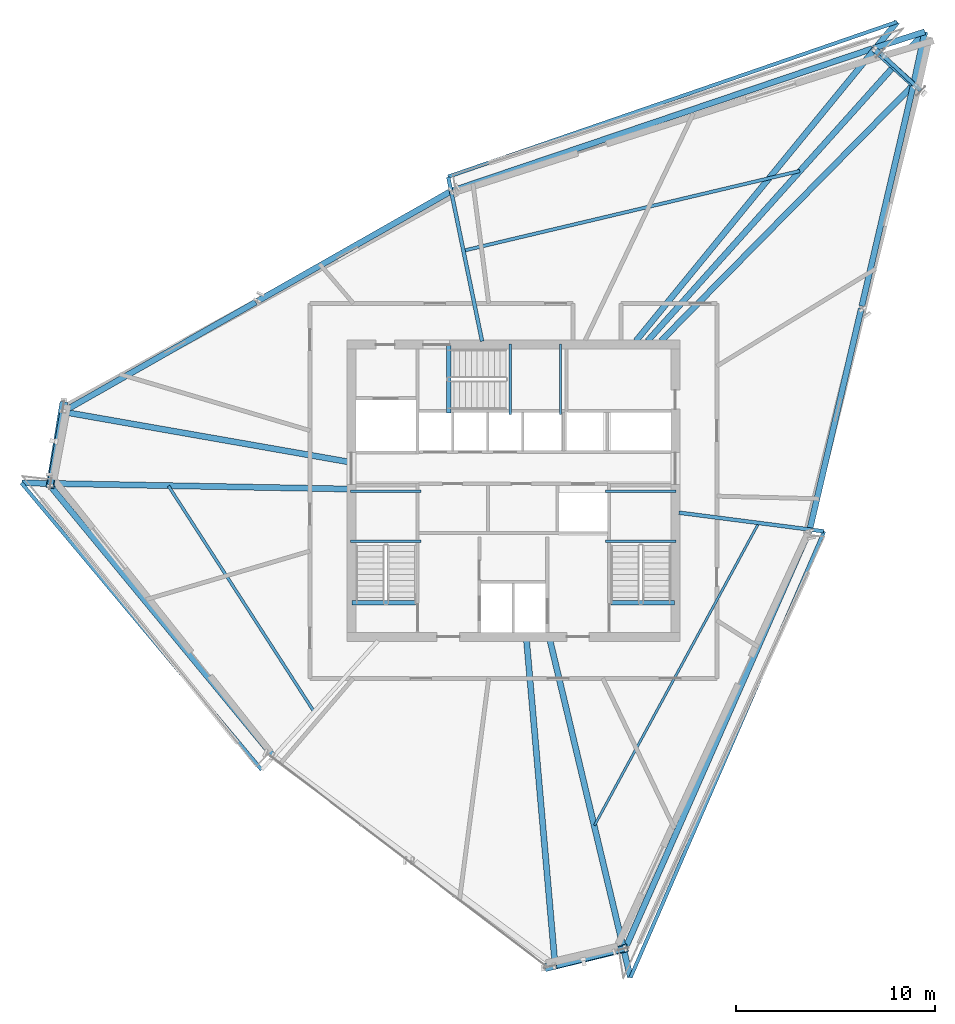
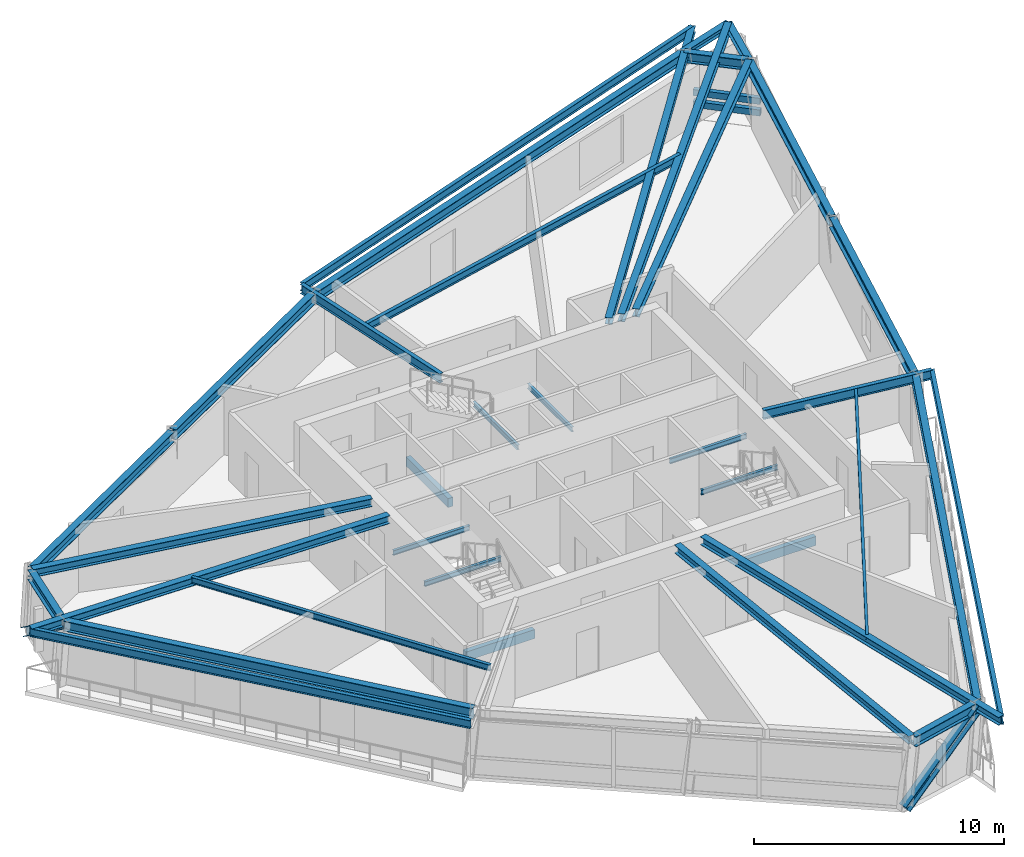
# One storey, part 4 of 13: 36 beams, 4 members.
"""IFC4 building model written with IfcOpenShell, lengths in metres."""

import ifcopenshell
import ifcopenshell.guid

model = None  # the IFC model being written
_history = None  # IfcOwnerHistory: only IFC2X3 demands one
_inside = {}  # id of a spatial element -> (the spatial element, [elements in it])
_under = {}  # id of a project, library or spatial element -> (it, [spatial elements below it])
_declared = {}  # id of a project -> (the project, [libraries it declares])
_typed = {}  # id of a type object -> (the type object, [elements of that type])
_made_of = {}  # id of a material, layer set ... -> (it, [elements and type objects made of it])


def new_model(schema):
    """Start an empty IFC model of exactly this schema.

    Asked for "IFC4X3", IfcOpenShell would pick the latest addendum, in which some entities
    have other attributes; the version numbers below select the first issue.
    IFC2X3 requires an IfcOwnerHistory on every rooted entity: one is made here for all.
    """
    global model, _history
    if schema == "IFC4X3":
        model = ifcopenshell.file(schema_version=(4, 3, 0, 0))
    else:
        model = ifcopenshell.file(schema=schema)
    _inside.clear()
    _under.clear()
    _declared.clear()
    _typed.clear()
    _made_of.clear()
    _history = None
    if model.schema == "IFC2X3":
        org = make("IfcOrganization", Name="unknown")
        user = make(
            "IfcPersonAndOrganization",
            ThePerson=make("IfcPerson", FamilyName="unknown"),
            TheOrganization=org,
        )
        app = make(
            "IfcApplication",
            ApplicationDeveloper=org,
            Version="unknown",
            ApplicationFullName="unknown",
            ApplicationIdentifier="unknown",
        )
        _history = make(
            "IfcOwnerHistory",
            OwningUser=user,
            OwningApplication=app,
            ChangeAction="ADDED",
            CreationDate=0,
        )
    return model


def make(cls, **values):
    """One entity of the class cls with the attributes given. An attribute that is None is left unset."""
    return model.create_entity(
        cls, **{name: value for name, value in values.items() if value is not None}
    )


def rooted(cls, **values):
    """An entity with a GlobalId (a new one), such as an element, a storey or a relation."""
    return make(cls, GlobalId=ifcopenshell.guid.new(), OwnerHistory=_history, **values)


def si_unit(unit_type, name, prefix=None):
    """IfcSIUnit, for example si_unit("LENGTHUNIT", "METRE", prefix="MILLI")."""
    return make("IfcSIUnit", UnitType=unit_type, Prefix=prefix, Name=name)


def assignment(units):
    """IfcUnitAssignment: the units of a project."""
    return None if units is None else make("IfcUnitAssignment", Units=units)


def point(xyz):
    """IfcCartesianPoint."""
    return None if xyz is None else make("IfcCartesianPoint", Coordinates=xyz)


def direction(xyz):
    """IfcDirection."""
    return None if xyz is None else make("IfcDirection", DirectionRatios=xyz)


def frame(location, z_axis=None, x_axis=None):
    """IfcAxis2Placement3D, a coordinate frame: its origin and axes. An axis left out is left unset."""
    return make(
        "IfcAxis2Placement3D",
        Location=point(location),
        Axis=direction(z_axis),
        RefDirection=direction(x_axis),
    )


def frame_2d(location, x_axis=None):
    """IfcAxis2Placement2D, a coordinate frame in the plane: its origin and x axis."""
    return make(
        "IfcAxis2Placement2D", Location=point(location), RefDirection=direction(x_axis)
    )


def origin():
    """The frame at (0, 0, 0) with its axes left unset."""
    return frame((0.0, 0.0, 0.0))


def origin_2d():
    """The frame at (0, 0) in the plane with its x axis left unset."""
    return frame_2d((0.0, 0.0))


def place(relative_to, where):
    """IfcLocalPlacement: puts the frame where relative to a parent placement (None: the world)."""
    return make(
        "IfcLocalPlacement", PlacementRelTo=relative_to, RelativePlacement=where
    )


def context(
    kind, dimensions, precision=None, world=None, true_north=None, identifier=None
):
    """IfcGeometricRepresentationContext, for example the 3D "Model" context."""
    return make(
        "IfcGeometricRepresentationContext",
        ContextIdentifier=identifier,
        ContextType=kind,
        CoordinateSpaceDimension=dimensions,
        Precision=precision,
        WorldCoordinateSystem=world,
        TrueNorth=true_north,
    )


def subcontext(parent, identifier, kind, view, scale=None):
    """IfcGeometricRepresentationSubContext, for example "Body" below "Model"."""
    return make(
        "IfcGeometricRepresentationSubContext",
        ContextIdentifier=identifier,
        ContextType=kind,
        ParentContext=parent,
        TargetScale=scale,
        TargetView=view,
    )


def project(units=None, contexts=None):
    """IfcProject with its units and contexts."""
    return rooted(
        "IfcProject",
        Name="project",
        RepresentationContexts=contexts,
        UnitsInContext=assignment(units),
    )


def spatial(cls, under=None, at=None, **own):
    """A site, building, storey or space (cls), placed at a placement, below another one or the project."""
    s = rooted(cls, ObjectPlacement=at, **own)
    if under is not None:
        _under.setdefault(under.id(), (under, []))[1].append(s)
    return s


def profile(cls, at=None, kind="AREA", **sizes):
    """A parametric profile (cls). Its sizes go by their IFC names, for example OverallWidth=200.0."""
    return make(cls, ProfileType=kind, Position=at, **sizes)


def rectangle(**sizes):
    """IfcRectangleProfileDef."""
    return profile("IfcRectangleProfileDef", **sizes)


def hollow_rectangle(**sizes):
    """IfcRectangleHollowProfileDef."""
    return profile("IfcRectangleHollowProfileDef", **sizes)


def i_section(**sizes):
    """IfcIShapeProfileDef."""
    return profile("IfcIShapeProfileDef", **sizes)


def extrude(swept, where, along, depth):
    """IfcExtrudedAreaSolid: the profile swept, set in the frame where, extruded along a direction by depth."""
    return make(
        "IfcExtrudedAreaSolid",
        SweptArea=swept,
        Position=where,
        ExtrudedDirection=direction(along),
        Depth=depth,
    )


def shape(context_of_items, identifier, shape_type, items):
    """IfcShapeRepresentation: the items that make up one representation, for example the "Body"."""
    return make(
        "IfcShapeRepresentation",
        ContextOfItems=context_of_items,
        RepresentationIdentifier=identifier,
        RepresentationType=shape_type,
        Items=items,
    )


def source(mapping_origin, context_of_items, identifier, shape_type, items):
    """IfcRepresentationMap: a shape defined once, which mapped items show again and again."""
    return make(
        "IfcRepresentationMap",
        MappingOrigin=mapping_origin,
        MappedRepresentation=shape(context_of_items, identifier, shape_type, items),
    )


def transform(
    local_origin,
    x_axis=None,
    y_axis=None,
    z_axis=None,
    scale=None,
    scale2=None,
    scale3=None,
    uniform=True,
):
    """IfcCartesianTransformationOperator3D, or its non-uniform kind. x_axis, y_axis, z_axis: its Axis1, 2, 3."""
    if uniform:
        return make(
            "IfcCartesianTransformationOperator3D",
            Axis1=direction(x_axis),
            Axis2=direction(y_axis),
            LocalOrigin=point(local_origin),
            Scale=scale,
            Axis3=direction(z_axis),
        )
    return make(
        "IfcCartesianTransformationOperator3DnonUniform",
        Axis1=direction(x_axis),
        Axis2=direction(y_axis),
        LocalOrigin=point(local_origin),
        Scale=scale,
        Axis3=direction(z_axis),
        Scale2=scale2,
        Scale3=scale3,
    )


def mapped(mapping_source, mapping_target):
    """IfcMappedItem: shows the shape of a source again, moved by a transform."""
    return make(
        "IfcMappedItem", MappingSource=mapping_source, MappingTarget=mapping_target
    )


def material(Name=None, Category=None):
    """IfcMaterial."""
    return make("IfcMaterial", Name=Name, Category=Category)


def material_profile(
    of_material, cross_section, Name=None, Category=None, Priority=None
):
    """IfcMaterialProfile: a cross section and its material."""
    return make(
        "IfcMaterialProfile",
        Name=Name,
        Material=of_material,
        Profile=cross_section,
        Priority=Priority,
        Category=Category,
    )


def profile_set(profiles, Name=None, composite=None):
    """IfcMaterialProfileSet."""
    return make(
        "IfcMaterialProfileSet",
        Name=Name,
        MaterialProfiles=profiles,
        CompositeProfile=composite,
    )


def made_of(thing, what):
    """Note that an element or type object is made of a material, layer set ...; save() writes the relation."""
    if what is not None:
        _made_of.setdefault(what.id(), (what, []))[1].append(thing)
    return thing


def type_object(cls, material=None, **own):
    """A type object (cls), such as IfcWallType, which elements share."""
    return made_of(rooted(cls, **own), material)


def element(
    cls,
    number,
    at=None,
    inside=None,
    cuts=None,
    type_object=None,
    material=None,
    context=None,
    identifier="Body",
    shape_type=None,
    held_by="IfcProductDefinitionShape",
    body=None,
    shapes=None,
    **own,
):
    """One element of the class cls, such as IfcWall. Its Tag is "e" and its number.

    at: its placement. inside: the storey or other place that contains it. cuts: it is an
    opening in that element (IfcRelVoidsElement). A single representation is given by context,
    identifier, shape_type and body (its items); several are given by shapes. held_by: the class
    of the entity that holds the representations. save() writes the other relations.
    """
    e = rooted(cls, Tag="e%d" % number, ObjectPlacement=at, **own)
    if body is not None:
        shapes = [shape(context, identifier, shape_type, body)]
    if shapes is not None:
        e.Representation = make(held_by, Representations=shapes)
    if inside is not None:
        _inside.setdefault(inside.id(), (inside, []))[1].append(e)
    if cuts is not None:
        rooted(
            "IfcRelVoidsElement", RelatingBuildingElement=cuts, RelatedOpeningElement=e
        )
    if type_object is not None:
        _typed.setdefault(type_object.id(), (type_object, []))[1].append(e)
    return made_of(e, material)


def aggregate(whole, parts):
    """IfcRelAggregates: a whole, such as a stair, and the parts it consists of."""
    return rooted("IfcRelAggregates", RelatingObject=whole, RelatedObjects=parts)


def save(model, path):
    """Write the relations noted so far, then the file.

    IfcRelAggregates (storeys below a building ...), IfcRelContainedInSpatialStructure (elements
    in a storey), IfcRelDefinesByType, IfcRelAssociatesMaterial and IfcRelDeclares: one each for
    every whole, place, type object, material and project.
    """
    for whole, parts in _under.values():
        aggregate(whole, parts)
    for where, things in _inside.values():
        rooted(
            "IfcRelContainedInSpatialStructure",
            RelatedElements=things,
            RelatingStructure=where,
        )
    for kind, things in _typed.values():
        rooted("IfcRelDefinesByType", RelatedObjects=things, RelatingType=kind)
    for what, things in _made_of.values():
        rooted("IfcRelAssociatesMaterial", RelatedObjects=things, RelatingMaterial=what)
    for by, libraries in _declared.values():
        rooted("IfcRelDeclares", RelatingContext=by, RelatedDefinitions=libraries)
    model.write(path)


model = new_model("IFC4")

# Units and contexts
model_context = context("Model", 3, precision=1e-05, world=origin(), true_north=direction((0.0, 1.0)))
body_context = subcontext(model_context, "Body", "Model", "MODEL_VIEW")
ifc_project = project(units=[si_unit("LENGTHUNIT", "METRE"), si_unit("AREAUNIT", "SQUARE_METRE"), si_unit("VOLUMEUNIT", "CUBIC_METRE"), si_unit("PLANEANGLEUNIT", "RADIAN"), si_unit("MASSUNIT", "GRAM", prefix="KILO")], contexts=[model_context])

# Site, building, storey
site_placement = place(None, origin())
site = spatial("IfcSite", under=ifc_project, at=site_placement, CompositionType="ELEMENT")
building_placement = place(site_placement, origin())
building = spatial("IfcBuilding", under=site, at=building_placement, Name="Olszyna Solenne Hotel", CompositionType="ELEMENT")
storey_placement = place(building_placement, frame((0.0, 0.0, 227.35009765625)))
storey = spatial("IfcBuildingStorey", under=building, at=storey_placement, Name="L60", CompositionType="ELEMENT", Elevation=227.35009765625)

# Beams
ifc_material_1 = material(Name="Steel S355J2", Category="steel")
ifc_material_profile_1 = material_profile(ifc_material_1, i_section(OverallWidth=0.300048828125, OverallDepth=0.5, WebThickness=0.014404296875, FlangeThickness=0.028076171875, at=origin_2d()), Name="HEB 500", Category="load-bearing")
ifc_profile_set_1 = profile_set([ifc_material_profile_1], Name="Steel S355J2")
beam_type_1 = type_object("IfcBeamType", Name="BM-S3", PredefinedType="BEAM", material=ifc_profile_set_1)
shared_shape_1 = source(origin(), body_context, "Body", "SweptSolid", [
    extrude(i_section(OverallWidth=0.300048828125, OverallDepth=0.5, WebThickness=0.014404296875, FlangeThickness=0.028076171875, at=origin_2d()), origin(), (0.0, 0.0, 1.0), 2.59619140625),
])
beam_1_placement = place(storey_placement, frame((58.015380859375, 47.001708984375, 3.079833984375), z_axis=(-0.741402093259, 0.671061052447, 0.0), x_axis=(-0.671061052447, -0.741402093259, 0.0)))
element("IfcBeam", 1, at=beam_1_placement, inside=storey, type_object=beam_type_1, Name="Perimeter spandrel beam BM-S3 B-L60-1766", PredefinedType="BEAM", context=body_context, shape_type="MappedRepresentation", body=[
    mapped(shared_shape_1, transform((0.0, 0.0, 0.0), x_axis=(1.0, 0.0, 0.0), y_axis=(0.0, 1.0, 0.0), z_axis=(0.0, 0.0, 1.0), scale=1.0)),
])
shared_shape_2 = source(origin(), body_context, "Body", "SweptSolid", [
    extrude(i_section(OverallWidth=0.300048828125, OverallDepth=0.5, WebThickness=0.014404296875, FlangeThickness=0.028076171875, at=origin_2d()), origin(), (0.0, 0.0, 1.0), 22.2490234375),
])
beam_2_placement = place(storey_placement, frame((55.9892578125, 48.764892578125, 3.079833984375), z_axis=(-0.947232680798, -0.320546796004, 0.0), x_axis=(0.320546796004, -0.947232680798, 0.0)))
element("IfcBeam", 2, at=beam_2_placement, inside=storey, type_object=beam_type_1, Name="Perimeter spandrel beam BM-S3 B-L60-1767", PredefinedType="BEAM", context=body_context, shape_type="MappedRepresentation", body=[
    mapped(shared_shape_2, transform((0.0, 0.0, 0.0), x_axis=(1.0, 0.0, 0.0), y_axis=(0.0, 1.0, 0.0), z_axis=(0.0, 0.0, 1.0), scale=1.0)),
])
shared_shape_3 = source(origin(), body_context, "Body", "SweptSolid", [
    extrude(i_section(OverallWidth=0.300048828125, OverallDepth=0.5, WebThickness=0.014404296875, FlangeThickness=0.028076171875, at=origin_2d()), origin(), (0.0, 0.0, 1.0), 11.064453125),
])
beam_3_placement = place(storey_placement, frame((34.805419921875, 41.584228515625, 3.079833984375), z_axis=(-0.869399040145, -0.494110624248, 0.0), x_axis=(0.494110624248, -0.869399040145, 0.0)))
element("IfcBeam", 3, at=beam_3_placement, inside=storey, type_object=beam_type_1, Name="Perimeter spandrel beam BM-S3 B-L60-1768", PredefinedType="BEAM", context=body_context, shape_type="MappedRepresentation", body=[
    mapped(shared_shape_3, transform((0.0, 0.0, 0.0), x_axis=(1.0, 0.0, 0.0), y_axis=(0.0, 1.0, 0.0), z_axis=(0.0, 0.0, 1.0), scale=1.0)),
])
shared_shape_4 = source(origin(), body_context, "Body", "SweptSolid", [
    extrude(i_section(OverallWidth=0.300048828125, OverallDepth=0.5, WebThickness=0.014404296875, FlangeThickness=0.028076171875, at=origin_2d()), origin(), (0.0, 0.0, 1.0), 11.064208984375),
])
beam_4_placement = place(storey_placement, frame((25.08154296875, 36.057861328125, 3.079833984375), z_axis=(-0.869393652825, -0.494120103241, 0.0), x_axis=(0.494120103241, -0.869393652825, 0.0)))
element("IfcBeam", 4, at=beam_4_placement, inside=storey, type_object=beam_type_1, Name="Perimeter spandrel beam BM-S3 B-L60-1769", PredefinedType="BEAM", context=body_context, shape_type="MappedRepresentation", body=[
    mapped(shared_shape_4, transform((0.0, 0.0, 0.0), x_axis=(1.0, 0.0, 0.0), y_axis=(0.0, 1.0, 0.0), z_axis=(0.0, 0.0, 1.0), scale=1.0)),
])
shared_shape_5 = source(origin(), body_context, "Body", "SweptSolid", [
    extrude(i_section(OverallWidth=0.300048828125, OverallDepth=0.5, WebThickness=0.014404296875, FlangeThickness=0.028076171875, at=origin_2d()), origin(), (0.0, 0.0, 1.0), 3.64453125),
])
beam_5_placement = place(storey_placement, frame((15.39990234375, 30.501953125, 3.079833984375), z_axis=(-0.168406003468, -0.985717717197, 0.0), x_axis=(0.985717717197, -0.168406003468, 0.0)))
element("IfcBeam", 5, at=beam_5_placement, inside=storey, type_object=beam_type_1, Name="Perimeter spandrel beam BM-S3 B-L60-1770", PredefinedType="BEAM", context=body_context, shape_type="MappedRepresentation", body=[
    mapped(shared_shape_5, transform((0.0, 0.0, 0.0), x_axis=(1.0, 0.0, 0.0), y_axis=(0.0, 1.0, 0.0), z_axis=(0.0, 0.0, 1.0), scale=1.0)),
])
shared_shape_6 = source(origin(), body_context, "Body", "SweptSolid", [
    extrude(i_section(OverallWidth=0.300048828125, OverallDepth=0.5, WebThickness=0.014404296875, FlangeThickness=0.028076171875, at=origin_2d()), origin(), (0.0, 0.0, 1.0), 17.475341796875),
])
beam_6_placement = place(storey_placement, frame((14.814208984375, 26.803955078125, 3.079833984375), z_axis=(0.63616451227, -0.771553441654, 0.0), x_axis=(0.771553441654, 0.63616451227, 0.0)))
element("IfcBeam", 6, at=beam_6_placement, inside=storey, type_object=beam_type_1, Name="Perimeter spandrel beam BM-S3 B-L60-1771", PredefinedType="BEAM", context=body_context, shape_type="MappedRepresentation", body=[
    mapped(shared_shape_6, transform((0.0, 0.0, 0.0), x_axis=(1.0, 0.0, 0.0), y_axis=(0.0, 1.0, 0.0), z_axis=(0.0, 0.0, 1.0), scale=1.0)),
])
shared_shape_7 = source(origin(), body_context, "Body", "SweptSolid", [
    extrude(i_section(OverallWidth=0.300048828125, OverallDepth=0.5, WebThickness=0.014404296875, FlangeThickness=0.028076171875, at=origin_2d()), origin(), (0.0, 0.0, 1.0), 3.50634765625),
])
beam_7_placement = place(storey_placement, frame((40.15283203125, 2.79736328125, 3.079833984375), z_axis=(0.970285685328, 0.241962164084, 0.0), x_axis=(-0.241962164084, 0.970285685328, 0.0)))
element("IfcBeam", 7, at=beam_7_placement, inside=storey, type_object=beam_type_1, Name="Perimeter spandrel beam BM-S3 B-L60-1774", PredefinedType="BEAM", context=body_context, shape_type="MappedRepresentation", body=[
    mapped(shared_shape_7, transform((0.0, 0.0, 0.0), x_axis=(1.0, 0.0, 0.0), y_axis=(0.0, 1.0, 0.0), z_axis=(0.0, 0.0, 1.0), scale=1.0)),
])
shared_shape_8 = source(origin(), body_context, "Body", "SweptSolid", [
    extrude(i_section(OverallWidth=0.300048828125, OverallDepth=0.5, WebThickness=0.014404296875, FlangeThickness=0.028076171875, at=origin_2d()), origin(), (0.0, 0.0, 1.0), 22.802734375),
])
beam_8_placement = place(storey_placement, frame((43.637451171875, 3.715087890625, 3.079833984375), z_axis=(0.403159087831, 0.915129908756, 0.0), x_axis=(-0.915129908756, 0.403159087831, 0.0)))
element("IfcBeam", 8, at=beam_8_placement, inside=storey, type_object=beam_type_1, Name="Perimeter spandrel beam BM-S3 B-L60-1775", PredefinedType="BEAM", context=body_context, shape_type="MappedRepresentation", body=[
    mapped(shared_shape_8, transform((0.0, 0.0, 0.0), x_axis=(1.0, 0.0, 0.0), y_axis=(0.0, 1.0, 0.0), z_axis=(0.0, 0.0, 1.0), scale=1.0)),
])
shared_shape_9 = source(origin(), body_context, "Body", "SweptSolid", [
    extrude(i_section(OverallWidth=0.300048828125, OverallDepth=0.5, WebThickness=0.014404296875, FlangeThickness=0.028076171875, at=origin_2d()), origin(), (0.0, 0.0, 1.0), 11.34130859375),
])
for number, where, z_axis, x_axis, name in (
    (9, (52.868408203125, 24.69580078125, 3.079833984375), (0.227061528587, 0.973880414751, 0.0), (-0.973880414751, 0.227061528587, 0.0), "Perimeter spandrel beam BM-S3 B-L60-1776"),
    (10, (55.470947265625, 35.85791015625, 3.079833984375), (0.227086705748, 0.973874544319, 0.0), (-0.973874544319, 0.227086705748, 0.0), "Perimeter spandrel beam BM-S3 B-L60-1777"),
):
    element("IfcBeam", number, at=place(storey_placement, frame(where, z_axis=z_axis, x_axis=x_axis)), inside=storey, type_object=beam_type_1, Name=name, PredefinedType="BEAM", context=body_context, shape_type="MappedRepresentation", body=[
        mapped(shared_shape_9, transform((0.0, 0.0, 0.0), x_axis=(1.0, 0.0, 0.0), y_axis=(0.0, 1.0, 0.0), z_axis=(0.0, 0.0, 1.0), scale=1.0)),
    ])
ifc_material_profile_2 = material_profile(ifc_material_1, i_section(OverallWidth=0.300048828125, OverallDepth=0.389892578125, WebThickness=0.010986328125, FlangeThickness=0.01904296875, at=origin_2d()), Name="HEA 400", Category="load-bearing")
ifc_profile_set_2 = profile_set([ifc_material_profile_2], Name="Steel S355J2")
beam_type_2 = type_object("IfcBeamType", Name="BM-G2", PredefinedType="BEAM", material=ifc_profile_set_2)
shared_shape_10 = source(origin(), body_context, "Body", "SweptSolid", [
    extrude(i_section(OverallWidth=0.300048828125, OverallDepth=0.389892578125, WebThickness=0.010986328125, FlangeThickness=0.01904296875, at=origin_2d()), origin(), (0.0, 0.0, 1.0), 17.974365234375),
])
beam_9_placement = place(storey_placement, frame((58.017822265625, 46.918701171875, 3.135009765625), z_axis=(-0.701817062174, -0.712357221653, 0.0), x_axis=(0.712357221653, -0.701817062174, 0.0)))
element("IfcBeam", 11, at=beam_9_placement, inside=storey, type_object=beam_type_2, Name="Radial floor girder BM-G2 B-L60-1778", PredefinedType="BEAM", context=body_context, shape_type="MappedRepresentation", body=[
    mapped(shared_shape_10, transform((0.0, 0.0, 0.0), x_axis=(1.0, 0.0, 0.0), y_axis=(0.0, 1.0, 0.0), z_axis=(0.0, 0.0, 1.0), scale=1.0)),
])
shared_shape_11 = source(origin(), body_context, "Body", "SweptSolid", [
    extrude(i_section(OverallWidth=0.300048828125, OverallDepth=0.389892578125, WebThickness=0.010986328125, FlangeThickness=0.01904296875, at=origin_2d()), origin(), (0.0, 0.0, 1.0), 20.80224609375),
])
beam_10_placement = place(storey_placement, frame((58.61669921875, 49.60009765625, 3.135009765625), z_axis=(-0.667618826538, -0.74450325886, 0.0), x_axis=(0.74450325886, -0.667618826538, 0.0)))
element("IfcBeam", 12, at=beam_10_placement, inside=storey, type_object=beam_type_2, Name="Radial floor girder BM-G2 B-L60-1779", PredefinedType="BEAM", context=body_context, shape_type="MappedRepresentation", body=[
    mapped(shared_shape_11, transform((0.0, 0.0, 0.0), x_axis=(1.0, 0.0, 0.0), y_axis=(0.0, 1.0, 0.0), z_axis=(0.0, 0.0, 1.0), scale=1.0)),
])
ifc_material_profile_3 = material_profile(ifc_material_1, i_section(OverallWidth=0.18994140625, OverallDepth=0.449951171875, WebThickness=0.009521484375, FlangeThickness=0.0146484375, at=origin_2d()), Name="IPE 450", Category="load-bearing")
ifc_profile_set_3 = profile_set([ifc_material_profile_3], Name="Steel S355J2")
beam_type_3 = type_object("IfcBeamType", Name="BM-F4", PredefinedType="BEAM", material=ifc_profile_set_3)
shared_shape_12 = source(origin(), body_context, "Body", "SweptSolid", [
    extrude(i_section(OverallWidth=0.18994140625, OverallDepth=0.449951171875, WebThickness=0.009521484375, FlangeThickness=0.0146484375, at=origin_2d()), origin(), (0.0, 0.0, 1.0), 8.40185546875),
])
beam_11_placement = place(storey_placement, frame((34.733642578125, 42.329833984375, 3.10498046875), z_axis=(0.201896424627, -0.979406878536, 0.0), x_axis=(0.979406878536, 0.201896424627, 0.0)))
element("IfcBeam", 13, at=beam_11_placement, inside=storey, type_object=beam_type_3, Name="Radial floor girder BM-F4 B-L60-1780", PredefinedType="BEAM", context=body_context, shape_type="MappedRepresentation", body=[
    mapped(shared_shape_12, transform((0.0, 0.0, 0.0), x_axis=(1.0, 0.0, 0.0), y_axis=(0.0, 1.0, 0.0), z_axis=(0.0, 0.0, 1.0), scale=1.0)),
])
shared_shape_13 = source(origin(), body_context, "Body", "SweptSolid", [
    extrude(i_section(OverallWidth=0.300048828125, OverallDepth=0.389892578125, WebThickness=0.010986328125, FlangeThickness=0.01904296875, at=origin_2d()), origin(), (0.0, 0.0, 1.0), 14.447021484375),
])
beam_12_placement = place(storey_placement, frame((15.46923828125, 30.55078125, 3.135009765625), z_axis=(0.984970292614, -0.172723833525, 0.0), x_axis=(0.172723833525, 0.984970292614, 0.0)))
element("IfcBeam", 14, at=beam_12_placement, inside=storey, type_object=beam_type_2, Name="Radial floor girder BM-G2 B-L60-1781", PredefinedType="BEAM", context=body_context, shape_type="MappedRepresentation", body=[
    mapped(shared_shape_13, transform((0.0, 0.0, 0.0), x_axis=(1.0, 0.0, 0.0), y_axis=(0.0, 1.0, 0.0), z_axis=(0.0, 0.0, 1.0), scale=1.0)),
])
shared_shape_14 = source(origin(), body_context, "Body", "SweptSolid", [
    extrude(i_section(OverallWidth=0.300048828125, OverallDepth=0.389892578125, WebThickness=0.010986328125, FlangeThickness=0.01904296875, at=origin_2d()), origin(), (0.0, 0.0, 1.0), 16.3515625),
])
beam_13_placement = place(storey_placement, frame((13.351318359375, 26.9951171875, 3.135009765625), z_axis=(0.999825264139, -0.018693346137, 0.0), x_axis=(0.018693346137, 0.999825264139, 0.0)))
element("IfcBeam", 15, at=beam_13_placement, inside=storey, type_object=beam_type_2, Name="Radial floor girder BM-G2 B-L60-1782", PredefinedType="BEAM", context=body_context, shape_type="MappedRepresentation", body=[
    mapped(shared_shape_14, transform((0.0, 0.0, 0.0), x_axis=(1.0, 0.0, 0.0), y_axis=(0.0, 1.0, 0.0), z_axis=(0.0, 0.0, 1.0), scale=1.0)),
])
shared_shape_15 = source(origin(), body_context, "Body", "SweptSolid", [
    extrude(i_section(OverallWidth=0.300048828125, OverallDepth=0.389892578125, WebThickness=0.010986328125, FlangeThickness=0.01904296875, at=origin_2d()), origin(), (0.0, 0.0, 1.0), 16.31982421875),
])
beam_14_placement = place(storey_placement, frame((40.08935546875, 2.8427734375, 3.135009765625), z_axis=(-0.087604344892, 0.996155348706, 0.0), x_axis=(-0.996155348706, -0.087604344892, 0.0)))
element("IfcBeam", 16, at=beam_14_placement, inside=storey, type_object=beam_type_2, Name="Radial floor girder BM-G2 B-L60-1784", PredefinedType="BEAM", context=body_context, shape_type="MappedRepresentation", body=[
    mapped(shared_shape_15, transform((0.0, 0.0, 0.0), x_axis=(1.0, 0.0, 0.0), y_axis=(0.0, 1.0, 0.0), z_axis=(0.0, 0.0, 1.0), scale=1.0)),
])
shared_shape_16 = source(origin(), body_context, "Body", "SweptSolid", [
    extrude(i_section(OverallWidth=0.300048828125, OverallDepth=0.389892578125, WebThickness=0.010986328125, FlangeThickness=0.01904296875, at=origin_2d()), origin(), (0.0, 0.0, 1.0), 17.364013671875),
])
beam_15_placement = place(storey_placement, frame((43.8642578125, 2.20849609375, 3.135009765625), z_axis=(-0.232007647698, 0.972713961763, 0.0), x_axis=(-0.972713961763, -0.232007647698, 0.0)))
element("IfcBeam", 17, at=beam_15_placement, inside=storey, type_object=beam_type_2, Name="Radial floor girder BM-G2 B-L60-1785", PredefinedType="BEAM", context=body_context, shape_type="MappedRepresentation", body=[
    mapped(shared_shape_16, transform((0.0, 0.0, 0.0), x_axis=(1.0, 0.0, 0.0), y_axis=(0.0, 1.0, 0.0), z_axis=(0.0, 0.0, 1.0), scale=1.0)),
])
shared_shape_17 = source(origin(), body_context, "Body", "SweptSolid", [
    extrude(i_section(OverallWidth=0.18994140625, OverallDepth=0.449951171875, WebThickness=0.009521484375, FlangeThickness=0.0146484375, at=origin_2d()), origin(), (0.0, 0.0, 1.0), 7.317138671875),
])
beam_16_placement = place(storey_placement, frame((53.557373046875, 24.5673828125, 3.10498046875), z_axis=(-0.991784149183, 0.127922638451, 0.0), x_axis=(-0.127922638451, -0.991784149183, 0.0)))
element("IfcBeam", 18, at=beam_16_placement, inside=storey, type_object=beam_type_3, Name="Radial floor girder BM-F4 B-L60-1786", PredefinedType="BEAM", context=body_context, shape_type="MappedRepresentation", body=[
    mapped(shared_shape_17, transform((0.0, 0.0, 0.0), x_axis=(1.0, 0.0, 0.0), y_axis=(0.0, 1.0, 0.0), z_axis=(0.0, 0.0, 1.0), scale=1.0)),
])
ifc_material_profile_4 = material_profile(ifc_material_1, i_section(OverallWidth=0.300048828125, OverallDepth=0.31005859375, WebThickness=0.009033203125, FlangeThickness=0.015380859375, at=origin_2d()), Name="HEA 320", Category="load-bearing")
ifc_profile_set_4 = profile_set([ifc_material_profile_4], Name="Steel S355J2")
beam_type_4 = type_object("IfcBeamType", Name="BM-G3", PredefinedType="BEAM", material=ifc_profile_set_4)
shared_shape_18 = source(origin(), body_context, "Body", "SweptSolid", [
    extrude(i_section(OverallWidth=0.300048828125, OverallDepth=0.31005859375, WebThickness=0.009033203125, FlangeThickness=0.015380859375, at=origin_2d()), origin(), (0.0, 0.0, 1.0), 2.71435546875),
])
beam_17_placement = place(storey_placement, frame((58.059814453125, 46.961181640625, 3.1748046875), z_axis=(0.210020466506, 0.97769698969, 0.0), x_axis=(-0.97769698969, 0.210020466506, 0.0)))
element("IfcBeam", 19, at=beam_17_placement, inside=storey, type_object=beam_type_4, Name="Prism side edge beam BM-G3 B-L60-1787", PredefinedType="BEAM", context=body_context, shape_type="MappedRepresentation", body=[
    mapped(shared_shape_18, transform((0.0, 0.0, 0.0), x_axis=(1.0, 0.0, 0.0), y_axis=(0.0, 1.0, 0.0), z_axis=(0.0, 0.0, 1.0), scale=1.0)),
])
shared_shape_19 = source(origin(), body_context, "Body", "SweptSolid", [
    extrude(i_section(OverallWidth=0.300048828125, OverallDepth=0.31005859375, WebThickness=0.009033203125, FlangeThickness=0.015380859375, at=origin_2d()), origin(), (0.0, 0.0, 1.0), 2.714111328125),
])
beam_18_placement = place(storey_placement, frame((56.046142578125, 48.7841796875, 3.1748046875), z_axis=(0.951993925108, 0.306116916483, 0.0), x_axis=(-0.306116916483, 0.951993925108, 0.0)))
element("IfcBeam", 20, at=beam_18_placement, inside=storey, type_object=beam_type_4, Name="Prism side edge beam BM-G3 B-L60-1788", PredefinedType="BEAM", context=body_context, shape_type="MappedRepresentation", body=[
    mapped(shared_shape_19, transform((0.0, 0.0, 0.0), x_axis=(1.0, 0.0, 0.0), y_axis=(0.0, 1.0, 0.0), z_axis=(0.0, 0.0, 1.0), scale=1.0)),
])
shared_shape_20 = source(origin(), body_context, "Body", "SweptSolid", [
    extrude(i_section(OverallWidth=0.300048828125, OverallDepth=0.31005859375, WebThickness=0.009033203125, FlangeThickness=0.015380859375, at=origin_2d()), origin(), (0.0, 0.0, 1.0), 20.671142578125),
])
beam_19_placement = place(storey_placement, frame((57.235107421875, 50.110107421875, 3.1748046875), z_axis=(-0.633228786044, -0.773964666199, 0.0), x_axis=(0.773964666199, -0.633228786044, 0.0)))
element("IfcBeam", 21, at=beam_19_placement, inside=storey, type_object=beam_type_4, Name="Loggia/prism radial back-span girder BM-G3 B-L60-1789", PredefinedType="BEAM", context=body_context, shape_type="MappedRepresentation", body=[
    mapped(shared_shape_20, transform((0.0, 0.0, 0.0), x_axis=(1.0, 0.0, 0.0), y_axis=(0.0, 1.0, 0.0), z_axis=(0.0, 0.0, 1.0), scale=1.0)),
])
ifc_material_profile_5 = material_profile(ifc_material_1, i_section(OverallWidth=0.169921875, OverallDepth=0.360107421875, WebThickness=0.008056640625, FlangeThickness=0.0126953125, at=origin_2d()), Name="IPE 360", Category="load-bearing")
ifc_profile_set_5 = profile_set([ifc_material_profile_5], Name="Steel S355J2")
beam_type_5 = type_object("IfcBeamType", Name="JS-01", PredefinedType="JOIST", material=ifc_profile_set_5)
shared_shape_21 = source(origin(), body_context, "Body", "SweptSolid", [
    extrude(i_section(OverallWidth=0.169921875, OverallDepth=0.360107421875, WebThickness=0.008056640625, FlangeThickness=0.0126953125, at=origin_2d()), origin(), (0.0, 0.0, 1.0), 17.307373046875),
])
beam_20_placement = place(storey_placement, frame((52.35498046875, 42.634521484375, 3.14990234375), z_axis=(-0.97303323106, -0.230664976215, 0.0), x_axis=(0.230664976215, -0.97303323106, 0.0)))
element("IfcBeam", 22, at=beam_20_placement, inside=storey, type_object=beam_type_5, Name="Secondary composite floor joist JS-01 B-L60-1790", PredefinedType="JOIST", context=body_context, shape_type="MappedRepresentation", body=[
    mapped(shared_shape_21, transform((0.0, 0.0, 0.0), x_axis=(1.0, 0.0, 0.0), y_axis=(0.0, 1.0, 0.0), z_axis=(0.0, 0.0, 1.0), scale=1.0)),
])
ifc_material_profile_6 = material_profile(ifc_material_1, i_section(OverallWidth=0.14990234375, OverallDepth=0.300048828125, WebThickness=0.007080078125, FlangeThickness=0.0107421875, at=origin_2d()), Name="IPE 300", Category="load-bearing")
ifc_profile_set_6 = profile_set([ifc_material_profile_6], Name="Steel S355J2")
beam_type_6 = type_object("IfcBeamType", Name="JS-02", PredefinedType="JOIST", material=ifc_profile_set_6)
shared_shape_22 = source(origin(), body_context, "Body", "SweptSolid", [
    extrude(i_section(OverallWidth=0.14990234375, OverallDepth=0.300048828125, WebThickness=0.007080078125, FlangeThickness=0.0107421875, at=origin_2d()), origin(), (0.0, 0.0, 1.0), 13.443359375),
])
beam_21_placement = place(storey_placement, frame((20.7080078125, 26.8408203125, 3.179931640625), z_axis=(0.541911753916, -0.84043539369, 0.0), x_axis=(0.84043539369, 0.541911753916, 0.0)))
element("IfcBeam", 23, at=beam_21_placement, inside=storey, type_object=beam_type_6, Name="Secondary composite floor joist JS-02 B-L60-1791", PredefinedType="JOIST", context=body_context, shape_type="MappedRepresentation", body=[
    mapped(shared_shape_22, transform((0.0, 0.0, 0.0), x_axis=(1.0, 0.0, 0.0), y_axis=(0.0, 1.0, 0.0), z_axis=(0.0, 0.0, 1.0), scale=1.0)),
])
ifc_material_profile_7 = material_profile(ifc_material_1, i_section(OverallWidth=0.1201171875, OverallDepth=0.239990234375, WebThickness=0.006103515625, FlangeThickness=0.009765625, at=origin_2d()), Name="IPE 240", Category="load-bearing")
ifc_profile_set_7 = profile_set([ifc_material_profile_7], Name="Steel S355J2")
beam_type_7 = type_object("IfcBeamType", Name="JS-03", PredefinedType="JOIST", material=ifc_profile_set_7)
shared_shape_23 = source(origin(), body_context, "Body", "SweptSolid", [
    extrude(i_section(OverallWidth=0.1201171875, OverallDepth=0.239990234375, WebThickness=0.006103515625, FlangeThickness=0.009765625, at=origin_2d()), origin(), (0.0, 0.0, 1.0), 17.244140625),
])
beam_22_placement = place(storey_placement, frame((42.0634765625, 9.81591796875, 3.2099609375), z_axis=(0.477249324167, 0.87876793443, 0.0), x_axis=(-0.87876793443, 0.477249324167, 0.0)))
element("IfcBeam", 24, at=beam_22_placement, inside=storey, type_object=beam_type_7, Name="Secondary composite floor joist JS-03 B-L60-1792", PredefinedType="JOIST", context=body_context, shape_type="MappedRepresentation", body=[
    mapped(shared_shape_23, transform((0.0, 0.0, 0.0), x_axis=(1.0, 0.0, 0.0), y_axis=(0.0, 1.0, 0.0), z_axis=(0.0, 0.0, 1.0), scale=1.0)),
])
ifc_material_profile_8 = material_profile(ifc_material_1, i_section(OverallWidth=0.179931640625, OverallDepth=0.39990234375, WebThickness=0.008544921875, FlangeThickness=0.013427734375, at=origin_2d()), Name="IPE 400", Category="load-bearing")
ifc_profile_set_8 = profile_set([ifc_material_profile_8], Name="Steel S355J2")
beam_type_8 = type_object("IfcBeamType", Name="BM-F5", PredefinedType="BEAM", material=ifc_profile_set_8)
shared_shape_24 = source(origin(), body_context, "Body", "SweptSolid", [
    extrude(i_section(OverallWidth=0.179931640625, OverallDepth=0.39990234375, WebThickness=0.008544921875, FlangeThickness=0.013427734375, at=origin_2d()), origin(), (0.0, 0.0, 1.0), 23.805908203125),
])
beam_23_placement = place(storey_placement, frame((57.235107421875, 50.110107421875, 3.1298828125), z_axis=(-0.94537265467, -0.32599163149, 0.0), x_axis=(0.32599163149, -0.94537265467, 0.0)))
element("IfcBeam", 25, at=beam_23_placement, inside=storey, type_object=beam_type_8, Name="Loggia outer edge beam BM-F5 B-L60-1793", PredefinedType="BEAM", context=body_context, shape_type="MappedRepresentation", body=[
    mapped(shared_shape_24, transform((0.0, 0.0, 0.0), x_axis=(1.0, 0.0, 0.0), y_axis=(0.0, 1.0, 0.0), z_axis=(0.0, 0.0, 1.0), scale=1.0)),
])
shared_shape_25 = source(origin(), body_context, "Body", "SweptSolid", [
    extrude(i_section(OverallWidth=0.179931640625, OverallDepth=0.39990234375, WebThickness=0.008544921875, FlangeThickness=0.013427734375, at=origin_2d()), origin(), (0.0, 0.0, 1.0), 18.76025390625),
])
beam_24_placement = place(storey_placement, frame((13.331298828125, 26.995361328125, 3.1298828125), z_axis=(0.641982383519, -0.766719387554, 0.0), x_axis=(0.766719387554, 0.641982383519, 0.0)))
element("IfcBeam", 26, at=beam_24_placement, inside=storey, type_object=beam_type_8, Name="Loggia outer edge beam BM-F5 B-L60-1794", PredefinedType="BEAM", context=body_context, shape_type="MappedRepresentation", body=[
    mapped(shared_shape_25, transform((0.0, 0.0, 0.0), x_axis=(1.0, 0.0, 0.0), y_axis=(0.0, 1.0, 0.0), z_axis=(0.0, 0.0, 1.0), scale=1.0)),
])
shared_shape_26 = source(origin(), body_context, "Body", "SweptSolid", [
    extrude(i_section(OverallWidth=0.179931640625, OverallDepth=0.39990234375, WebThickness=0.008544921875, FlangeThickness=0.013427734375, at=origin_2d()), origin(), (0.0, 0.0, 1.0), 24.39111328125),
])
beam_25_placement = place(storey_placement, frame((43.868896484375, 2.189208984375, 3.1298828125), z_axis=(0.398025095966, 0.917374527105, 0.0), x_axis=(-0.917374527105, 0.398025095966, 0.0)))
element("IfcBeam", 27, at=beam_25_placement, inside=storey, type_object=beam_type_8, Name="Loggia outer edge beam BM-F5 B-L60-1795", PredefinedType="BEAM", context=body_context, shape_type="MappedRepresentation", body=[
    mapped(shared_shape_26, transform((0.0, 0.0, 0.0), x_axis=(1.0, 0.0, 0.0), y_axis=(0.0, 1.0, 0.0), z_axis=(0.0, 0.0, 1.0), scale=1.0)),
])

# Members
ifc_material_profile_9 = material_profile(ifc_material_1, hollow_rectangle(XDim=0.199951171875, YDim=0.300048828125, WallThickness=0.01611328125, at=origin_2d()), Name="RHS 300x200x16", Category="load-bearing")
ifc_profile_set_9 = profile_set([ifc_material_profile_9], Name="Steel S355J2")
member_type_1 = type_object("IfcMemberType", Name="CH-PR1", PredefinedType="CHORD", material=ifc_profile_set_9)
shared_shape_27 = source(origin(), body_context, "Body", "SweptSolid", [
    extrude(hollow_rectangle(XDim=0.199951171875, YDim=0.300048828125, WallThickness=0.01611328125, at=origin_2d()), origin(), (0.0, 0.0, 1.0), 2.754638671875),
])
for number, where, z_axis, x_axis, name in (
    (28, (58.421142578125, 46.6630859375, 1.349853515625), (-0.730760465981, 0.682633973194, 0.0), (-0.682633973194, -0.730760465981, 0.0), "Glass-prism tie chord CH-PR1 M-L60-PR1"),
    (29, (58.421142578125, 46.6630859375, 0.77978515625), (-0.730760465981, 0.682633973194, 0.0), (-0.682633973194, -0.730760465981, 0.0), "Glass-prism tie chord CH-PR1 M-L60-PR2"),
):
    element("IfcMember", number, at=place(storey_placement, frame(where, z_axis=z_axis, x_axis=x_axis)), inside=storey, type_object=member_type_1, Name=name, PredefinedType="CHORD", context=body_context, shape_type="MappedRepresentation", body=[
        mapped(shared_shape_27, transform((0.0, 0.0, 0.0), x_axis=(1.0, 0.0, 0.0), y_axis=(0.0, 1.0, 0.0), z_axis=(0.0, 0.0, 1.0), scale=1.0)),
    ])
ifc_material_2 = material(Name="Steel S460M", Category="steel")
ifc_material_profile_10 = material_profile(ifc_material_2, i_section(OverallWidth=0.40087890625, OverallDepth=0.39892578125, WebThickness=0.02197265625, FlangeThickness=0.034423828125, at=origin_2d()), Name="HD 400x314", Category="load-bearing")
ifc_profile_set_10 = profile_set([ifc_material_profile_10], Name="Steel S460M")
member_type_2 = type_object("IfcMemberType", Name="BR-T3", PredefinedType="BRACE", material=ifc_profile_set_10)
shared_shape_28 = source(origin(), body_context, "Body", "SweptSolid", [
    extrude(i_section(OverallWidth=0.40087890625, OverallDepth=0.39892578125, WebThickness=0.02197265625, FlangeThickness=0.034423828125, at=origin_2d()), origin(), (0.0, 0.0, 1.0), 5.144775390625),
])
member_1_placement = place(storey_placement, frame((15.44775390625, 30.9423828125, 0.010009765625), z_axis=(-0.130595991603, -0.795392229384, 0.591857996831), x_axis=(0.986787265393, -0.162021272857, 0.0)))
element("IfcMember", 30, at=member_1_placement, inside=storey, type_object=member_type_2, Name="Perimeter braced-tube diagonal BR-T3 BR-L60-2", PredefinedType="BRACE", context=body_context, shape_type="MappedRepresentation", body=[
    mapped(shared_shape_28, transform((0.0, 0.0, 0.0), x_axis=(1.0, 0.0, 0.0), y_axis=(0.0, 1.0, 0.0), z_axis=(0.0, 0.0, 1.0), scale=1.0)),
])
shared_shape_29 = source(origin(), body_context, "Body", "SweptSolid", [
    extrude(i_section(OverallWidth=0.40087890625, OverallDepth=0.39892578125, WebThickness=0.02197265625, FlangeThickness=0.034423828125, at=origin_2d()), origin(), (0.0, 0.0, 1.0), 5.049560546875),
])
member_2_placement = place(storey_placement, frame((39.69775390625, 2.713623046875, 0.010009765625), z_axis=(0.775400736304, 0.187492458872, 0.60299276613), x_axis=(-0.235027571633, 0.971988703932, 0.0)))
element("IfcMember", 31, at=member_2_placement, inside=storey, type_object=member_type_2, Name="Perimeter braced-tube diagonal BR-T3 BR-L60-3", PredefinedType="BRACE", context=body_context, shape_type="MappedRepresentation", body=[
    mapped(shared_shape_29, transform((0.0, 0.0, 0.0), x_axis=(1.0, 0.0, 0.0), y_axis=(0.0, 1.0, 0.0), z_axis=(0.0, 0.0, 1.0), scale=1.0)),
])

# Beams
shared_shape_30 = source(origin(), body_context, "Body", "SweptSolid", [
    extrude(i_section(OverallWidth=0.1201171875, OverallDepth=0.239990234375, WebThickness=0.006103515625, FlangeThickness=0.009765625, at=origin_2d()), origin(), (0.0, 0.0, 1.0), 3.539794921875),
])
for number, where, z_axis, x_axis, name in (
    (32, (33.3798828125, 24.070068359375, 1.449951171875), (-1.0, 0.0, 0.0), (0.0, -1.0, 0.0), "Stair landing support beam JS-03 SLB-ST1-0125"),
    (33, (33.3798828125, 26.580078125, 1.449951171875), (-1.0, 0.0, 0.0), (0.0, -1.0, 0.0), "Stair landing support beam JS-03 SLB-ST1-0126"),
    (34, (46.159912109375, 24.070068359375, 1.449951171875), (-1.0, 0.0, 0.0), (0.0, -1.0, 0.0), "Stair landing support beam JS-03 SLB-ST2-0365"),
    (35, (46.159912109375, 26.580078125, 1.449951171875), (-1.0, 0.0, 0.0), (0.0, -1.0, 0.0), "Stair landing support beam JS-03 SLB-ST2-0366"),
):
    element("IfcBeam", number, at=place(storey_placement, frame(where, z_axis=z_axis, x_axis=x_axis)), inside=storey, type_object=beam_type_7, Name=name, PredefinedType="JOIST", context=body_context, shape_type="MappedRepresentation", body=[
        mapped(shared_shape_30, transform((0.0, 0.0, 0.0), x_axis=(1.0, 0.0, 0.0), y_axis=(0.0, 1.0, 0.0), z_axis=(0.0, 0.0, 1.0), scale=1.0)),
    ])
ifc_material_3 = material(Name="Concrete C50/60", Category="concrete")
ifc_material_profile_11 = material_profile(ifc_material_3, rectangle(XDim=0.219970703125, YDim=0.43994140625, at=origin_2d()), Name="RC 220x440", Category="load-bearing")
ifc_profile_set_11 = profile_set([ifc_material_profile_11], Name="Concrete C50/60")
beam_type_9 = type_object("IfcBeamType", Name="BM-ST1", PredefinedType="BEAM", material=ifc_profile_set_11)
shared_shape_31 = source(origin(), body_context, "Body", "SweptSolid", [
    extrude(rectangle(XDim=0.219970703125, YDim=0.43994140625, at=origin_2d()), origin(), (0.0, 0.0, 1.0), 3.18017578125),
])
for number, where, z_axis, x_axis, name in (
    (36, (33.10009765625, 20.97998046875, -0.205078125), (-1.0, 0.0, 0.0), (0.0, -1.0, 0.0), "Concrete stair trimmer beam BM-ST1 SHB-ST1-0222"),
    (37, (46.080078125, 20.97998046875, -0.205078125), (-1.0, 0.0, 0.0), (0.0, -1.0, 0.0), "Concrete stair trimmer beam BM-ST1 SHB-ST2-0462"),
):
    element("IfcBeam", number, at=place(storey_placement, frame(where, z_axis=z_axis, x_axis=x_axis)), inside=storey, type_object=beam_type_9, Name=name, PredefinedType="BEAM", context=body_context, shape_type="MappedRepresentation", body=[
        mapped(shared_shape_31, transform((0.0, 0.0, 0.0), x_axis=(1.0, 0.0, 0.0), y_axis=(0.0, 1.0, 0.0), z_axis=(0.0, 0.0, 1.0), scale=1.0)),
    ])
shared_shape_32 = source(origin(), body_context, "Body", "SweptSolid", [
    extrude(i_section(OverallWidth=0.1201171875, OverallDepth=0.239990234375, WebThickness=0.006103515625, FlangeThickness=0.009765625, at=origin_2d()), origin(), (0.0, 0.0, 1.0), 3.5400390625),
])
for number, where, z_axis, x_axis, name in (
    (38, (37.85009765625, 30.419921875, 1.449951171875), (0.0, 1.0, 0.0), (-1.0, 0.0, 0.0), "Stair landing support beam JS-03 SLB-ST3-0605"),
    (39, (40.360107421875, 30.419921875, 1.449951171875), (0.0, 1.0, 0.0), (-1.0, 0.0, 0.0), "Stair landing support beam JS-03 SLB-ST3-0606"),
):
    element("IfcBeam", number, at=place(storey_placement, frame(where, z_axis=z_axis, x_axis=x_axis)), inside=storey, type_object=beam_type_7, Name=name, PredefinedType="JOIST", context=body_context, shape_type="MappedRepresentation", body=[
        mapped(shared_shape_32, transform((0.0, 0.0, 0.0), x_axis=(1.0, 0.0, 0.0), y_axis=(0.0, 1.0, 0.0), z_axis=(0.0, 0.0, 1.0), scale=1.0)),
    ])
shared_shape_33 = source(origin(), body_context, "Body", "SweptSolid", [
    extrude(rectangle(XDim=0.219970703125, YDim=0.43994140625, at=origin_2d()), origin(), (0.0, 0.0, 1.0), 3.3798828125),
])
beam_26_placement = place(storey_placement, frame((34.760009765625, 30.5, -0.205078125), z_axis=(0.0, 1.0, 0.0), x_axis=(-1.0, 0.0, 0.0)))
element("IfcBeam", 40, at=beam_26_placement, inside=storey, type_object=beam_type_9, Name="Concrete stair trimmer beam BM-ST1 SHB-ST3-0700", PredefinedType="BEAM", context=body_context, shape_type="MappedRepresentation", body=[
    mapped(shared_shape_33, transform((0.0, 0.0, 0.0), x_axis=(1.0, 0.0, 0.0), y_axis=(0.0, 1.0, 0.0), z_axis=(0.0, 0.0, 1.0), scale=1.0)),
])

save(model, "model.ifc")
